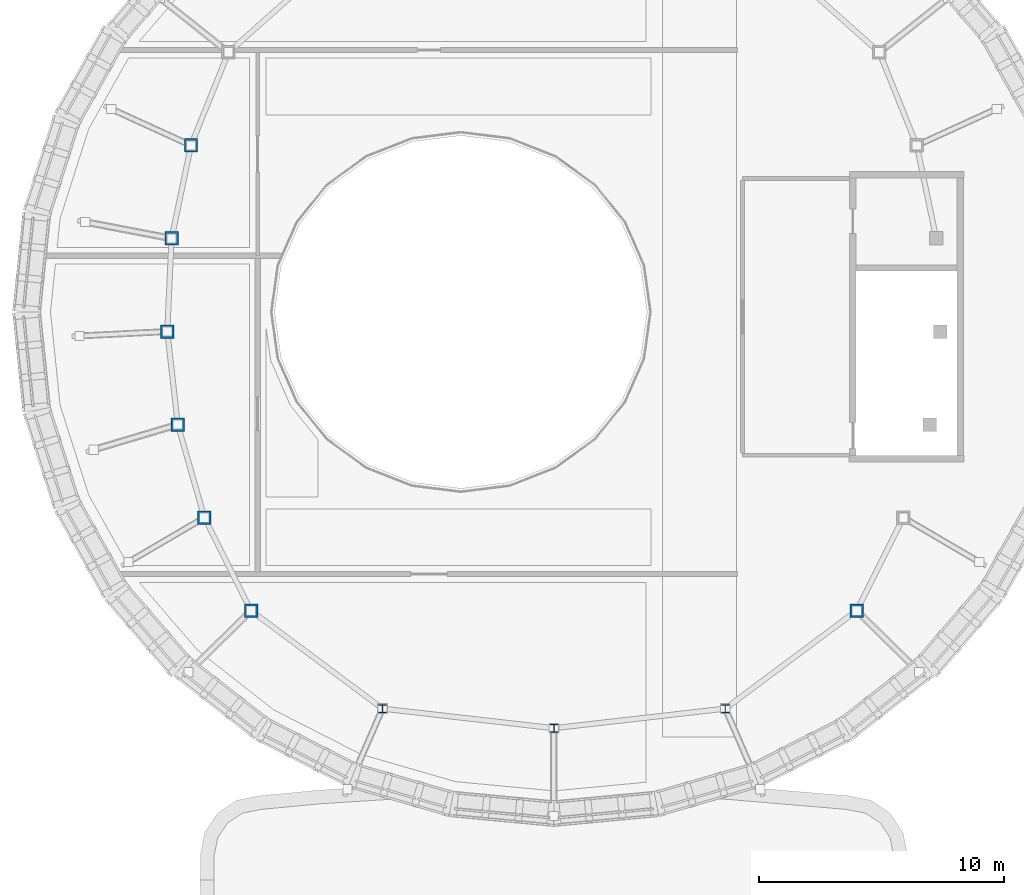
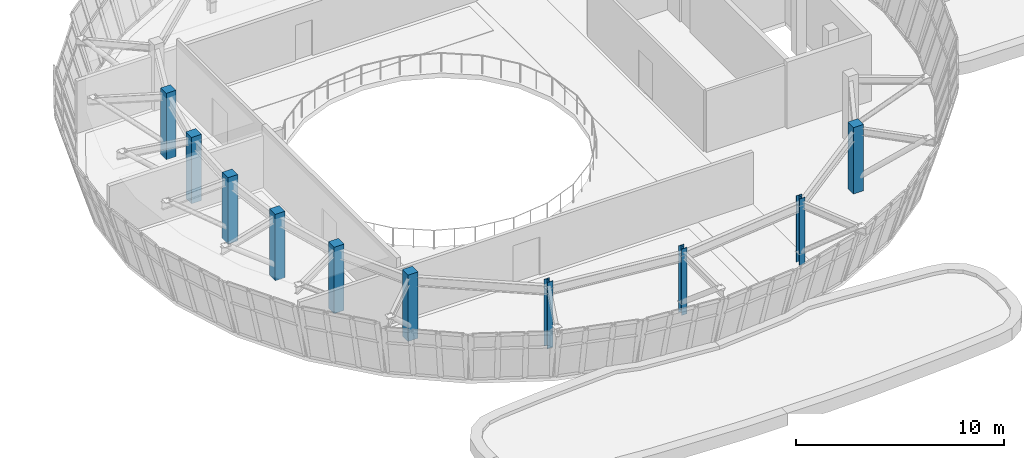
# One storey, part 1 of 111: 10 columns.
"""IFC4 building model written with IfcOpenShell, lengths in metres."""

from ifc_helpers import new_model, si_unit, direction, frame, origin, origin_2d, place, context, subcontext, project, spatial, rectangle, i_section, extrude, material, material_profile, profile_set, type_object, element, save


model = new_model("IFC4")

# Units and contexts
model_context = context("Model", 3, precision=1e-05, world=origin(), true_north=direction((0.0, 1.0)))
body_context = subcontext(model_context, "Body", "Model", "MODEL_VIEW")
ifc_project = project(units=[si_unit("LENGTHUNIT", "METRE"), si_unit("AREAUNIT", "SQUARE_METRE"), si_unit("VOLUMEUNIT", "CUBIC_METRE"), si_unit("PLANEANGLEUNIT", "RADIAN"), si_unit("MASSUNIT", "GRAM", prefix="KILO")], contexts=[model_context])

# Site, building, storey
site_placement = place(None, origin())
site = spatial("IfcSite", under=ifc_project, at=site_placement, CompositionType="ELEMENT")
building_placement = place(site_placement, origin())
building = spatial("IfcBuilding", under=site, at=building_placement, Name="Corveleigh Park Community Centre", CompositionType="ELEMENT")
storey_placement = place(building_placement, frame((0.0, 0.0, 4.800048828125)))
storey = spatial("IfcBuildingStorey", under=building, at=storey_placement, Name="L01", CompositionType="ELEMENT", Elevation=4.800048828125)

# Columns
ifc_material_1 = material(Name="Concrete C40/50", Category="concrete")
ifc_material_profile_1 = material_profile(ifc_material_1, rectangle(XDim=0.550048828125, YDim=0.550048828125, at=origin_2d()), Name="RC-550x550", Category="concrete")
ifc_profile_set_1 = profile_set([ifc_material_profile_1], Name="Concrete C40/50")
column_type_1 = type_object("IfcColumnType", Name="COL-RC-550x550", PredefinedType="COLUMN", material=ifc_profile_set_1)
for number, where, z_axis, x_axis, name in (
    (1, (18.634033203125, 15.39990234375, 0.0), (0.0, 0.0, 1.0), (1.0, 0.0, 0.0), "Column V1-W1 L01"),
    (2, (43.365966796875, 15.39990234375, 0.0), (0.0, 0.0, 1.0), (1.0, 0.0, 0.0), "Column V1-E1 L01"),
    (3, (16.72509765625, 19.199951171875, 0.0), (0.0, 0.0, 1.0), (1.0, 0.0, 0.0), "Column V1-W2 L01"),
    (4, (15.64111328125, 23.0, 0.0), (0.0, 0.0, 1.0), (1.0, 0.0, 0.0), "Column V1-W3 L01"),
    (5, (15.212890625, 26.800048828125, 0.0), (0.0, 0.0, 1.0), (1.0, 0.0, 0.0), "Column V1-W4 L01"),
    (6, (15.385986328125, 30.60009765625, 0.0), (0.0, 0.0, 1.0), (1.0, 0.0, 0.0), "Column V1-W5 L01"),
    (7, (16.180908203125, 34.39990234375, 0.0), (0.0, 0.0, 1.0), (1.0, 0.0, 0.0), "Column V1-W6 L01"),
):
    element("IfcColumn", number, at=place(storey_placement, frame(where, z_axis=z_axis, x_axis=x_axis)), inside=storey, type_object=column_type_1, Name=name, PredefinedType="COLUMN", context=body_context, shape_type="SweptSolid", body=[
        extrude(rectangle(XDim=0.550048828125, YDim=0.550048828125, at=origin_2d()), origin(), (0.0, 0.0, 1.0), 3.89990234375),
    ])
ifc_material_2 = material(Name="Steel S355", Category="steel")
ifc_material_profile_2 = material_profile(ifc_material_2, i_section(OverallWidth=0.30908203125, OverallDepth=0.320556640625, WebThickness=0.013916015625, FlangeThickness=0.021728515625, at=origin_2d()), Name="UKC 305x305x137", Category="steel")
ifc_profile_set_2 = profile_set([ifc_material_profile_2], Name="Steel S355")
column_type_2 = type_object("IfcColumnType", Name="COL-STL-UKC305x137", PredefinedType="COLUMN", material=ifc_profile_set_2)
for number, where, z_axis, x_axis, name in (
    (8, (24.0, 11.39990234375, 0.0), (0.0, 0.0, 1.0), (1.0, 0.0, 0.0), "Column V1-S1 L01"),
    (9, (31.0, 10.60009765625, 0.0), (0.0, 0.0, 1.0), (1.0, 0.0, 0.0), "Column V1-S2 L01"),
    (10, (38.0, 11.39990234375, 0.0), (0.0, 0.0, 1.0), (1.0, 0.0, 0.0), "Column V1-S3 L01"),
):
    element("IfcColumn", number, at=place(storey_placement, frame(where, z_axis=z_axis, x_axis=x_axis)), inside=storey, type_object=column_type_2, Name=name, PredefinedType="COLUMN", context=body_context, shape_type="SweptSolid", body=[
        extrude(i_section(OverallWidth=0.30908203125, OverallDepth=0.320556640625, WebThickness=0.013916015625, FlangeThickness=0.021728515625, at=origin_2d()), origin(), (0.0, 0.0, 1.0), 3.89990234375),
    ])

save(model, "model.ifc")
